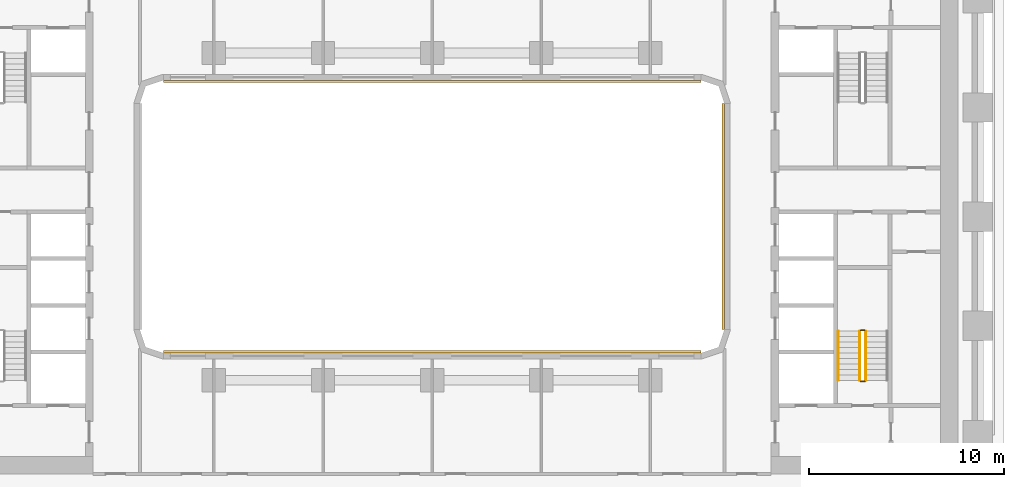
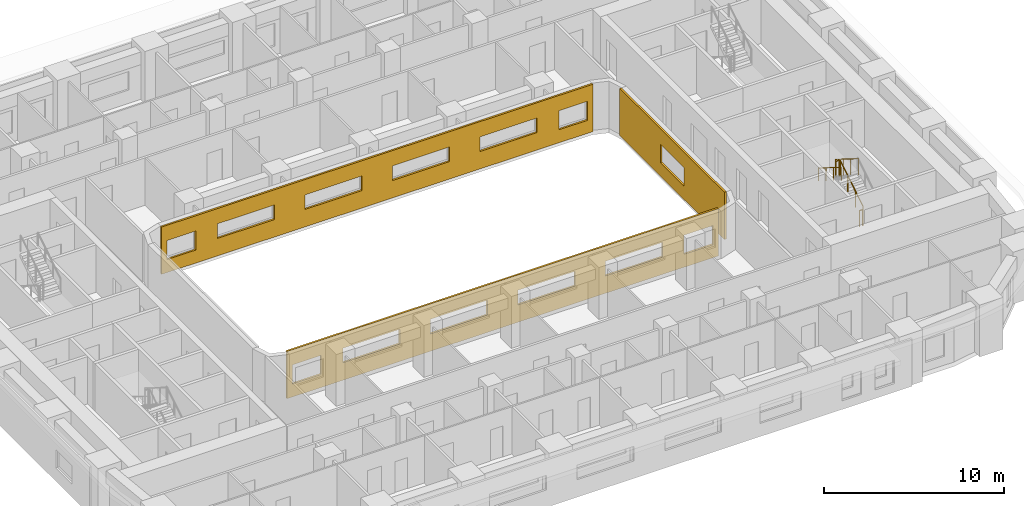
# One storey, part 15 of 20: 5 railings, 3 coverings.
"""IFC4 building model written with IfcOpenShell, lengths in metres."""

from ifc_helpers import new_model, si_unit, direction, frame, origin, origin_2d, place, context, subcontext, project, spatial, polyline, circle, outline, extrude, material, layer, layer_set, type_object, element, save


model = new_model("IFC4")

# Units and contexts
model_context = context("Model", 3, precision=1e-05, world=origin(), true_north=direction((0.0, 1.0)))
body_context = subcontext(model_context, "Body", "Model", "MODEL_VIEW")
ifc_project = project(units=[si_unit("LENGTHUNIT", "METRE"), si_unit("AREAUNIT", "SQUARE_METRE"), si_unit("VOLUMEUNIT", "CUBIC_METRE"), si_unit("PLANEANGLEUNIT", "RADIAN"), si_unit("MASSUNIT", "GRAM", prefix="KILO")], contexts=[model_context])

# Site, building, storey
site_placement = place(None, origin())
site = spatial("IfcSite", under=ifc_project, at=site_placement, CompositionType="ELEMENT")
building_placement = place(site_placement, origin())
building = spatial("IfcBuilding", under=site, at=building_placement, Name="Kiln Ring Residences", CompositionType="ELEMENT")
storey_placement = place(building_placement, frame((0.0, 0.0, 37.5)))
storey = spatial("IfcBuildingStorey", under=building, at=storey_placement, Name="L08", CompositionType="ELEMENT", Elevation=37.5)

# Railings
ifc_material_1 = material(Name="Stainless steel", Category="steel")
railing_type_1 = type_object("IfcRailingType", Name="CORE-STAIR-GUARD", PredefinedType="GUARDRAIL", material=ifc_material_1)
railing_1_placement = place(storey_placement, frame((22.25, -8.39990234375, 0.175048828125)))
element("IfcRailing", 1, at=railing_1_placement, inside=storey, type_object=railing_type_1, Name="L08 E-STS stair guard 1", PredefinedType="GUARDRAIL", context=body_context, shape_type="SweptSolid", body=[
    extrude(circle(Radius=0.02392578125, at=origin_2d()), frame((0.0, 0.0, 1.076171875), z_axis=(0.0, 0.848007534815, 0.529984170421), x_axis=(-1.0, 0.0, 0.0)), (0.0, 0.0, 1.0), 2.9716796875),
    extrude(circle(Radius=0.02099609375, at=origin_2d()), origin(), (0.0, 0.0, 1.0), 1.052001953125),
    extrude(circle(Radius=0.02099609375, at=origin_2d()), frame((0.0, 0.840087890625, 0.52490234375)), (0.0, 0.0, 1.0), 1.052001953125),
    extrude(circle(Radius=0.02099609375, at=origin_2d()), frame((0.0, 1.679931640625, 1.050048828125)), (0.0, 0.0, 1.0), 1.052001953125),
    extrude(circle(Radius=0.02099609375, at=origin_2d()), frame((0.0, 2.52001953125, 1.574951171875)), (0.0, 0.0, 1.0), 1.052001953125),
])
railing_2_placement = place(storey_placement, frame((22.199951171875, -5.830078125, 1.75)))
element("IfcRailing", 2, at=railing_2_placement, inside=storey, type_object=railing_type_1, Name="L08 E-STS stair guard 2", PredefinedType="GUARDRAIL", context=body_context, shape_type="SweptSolid", body=[
    extrude(circle(Radius=0.02392578125, at=origin_2d()), frame((0.0, 0.0, 1.076171875), z_axis=(-1.0, 0.0, 0.0), x_axis=(0.0, -1.0, 0.0)), (0.0, 0.0, 1.0), 0.199951171875),
    extrude(circle(Radius=0.02099609375, at=origin_2d()), origin(), (0.0, 0.0, 1.0), 1.052001953125),
    extrude(circle(Radius=0.02099609375, at=origin_2d()), frame((-0.199951171875, 0.0, 0.0)), (0.0, 0.0, 1.0), 1.052001953125),
])
railing_3_placement = place(storey_placement, frame((21.949951171875, -5.8798828125, 1.925048828125)))
element("IfcRailing", 3, at=railing_3_placement, inside=storey, type_object=railing_type_1, Name="L08 E-STS stair guard 3", PredefinedType="GUARDRAIL", context=body_context, shape_type="SweptSolid", body=[
    extrude(circle(Radius=0.02392578125, at=origin_2d()), frame((0.0, 0.0, 1.076171875), z_axis=(0.0, -0.848007534815, 0.529984170421), x_axis=(1.0, 0.0, 0.0)), (0.0, 0.0, 1.0), 2.9716796875),
    extrude(circle(Radius=0.02099609375, at=origin_2d()), origin(), (0.0, 0.0, 1.0), 1.052001953125),
    extrude(circle(Radius=0.02099609375, at=origin_2d()), frame((0.0, -0.840087890625, 0.52490234375)), (0.0, 0.0, 1.0), 1.052001953125),
    extrude(circle(Radius=0.02099609375, at=origin_2d()), frame((0.0, -1.679931640625, 1.050048828125)), (0.0, 0.0, 1.0), 1.052001953125),
    extrude(circle(Radius=0.02099609375, at=origin_2d()), frame((0.0, -2.52001953125, 1.574951171875)), (0.0, 0.0, 1.0), 1.052001953125),
])
railing_4_placement = place(storey_placement, frame((22.199951171875, -8.449951171875, 0.0)))
element("IfcRailing", 4, at=railing_4_placement, inside=storey, type_object=railing_type_1, Name="L08 E-STS stair guard 4", PredefinedType="GUARDRAIL", context=body_context, shape_type="SweptSolid", body=[
    extrude(circle(Radius=0.02392578125, at=origin_2d()), frame((0.0, 0.0, 1.076171875), z_axis=(-1.0, 0.0, 0.0), x_axis=(0.0, -1.0, 0.0)), (0.0, 0.0, 1.0), 0.199951171875),
    extrude(circle(Radius=0.02099609375, at=origin_2d()), origin(), (0.0, 0.0, 1.0), 1.052001953125),
    extrude(circle(Radius=0.02099609375, at=origin_2d()), frame((-0.199951171875, 0.0, 0.0)), (0.0, 0.0, 1.0), 1.052001953125),
])
ifc_material_2 = material(Name="Stainless steel", Category="steel")
railing_type_2 = type_object("IfcRailingType", Name="CORE-STAIR-HANDRAIL", PredefinedType="HANDRAIL", material=ifc_material_2)
railing_5_placement = place(storey_placement, frame((20.85009765625, -5.8798828125, 1.925048828125)))
element("IfcRailing", 5, at=railing_5_placement, inside=storey, type_object=railing_type_2, Name="L08 E-STS stair handrail 2", PredefinedType="HANDRAIL", context=body_context, shape_type="SweptSolid", body=[
    extrude(circle(Radius=0.02392578125, at=origin_2d()), frame((0.0, 0.0, 0.8759765625), z_axis=(0.0, -0.848007534815, 0.529984170421), x_axis=(1.0, 0.0, 0.0)), (0.0, 0.0, 1.0), 2.9716796875),
    extrude(circle(Radius=0.02099609375, at=origin_2d()), origin(), (0.0, 0.0, 1.0), 0.851806640625),
    extrude(circle(Radius=0.02099609375, at=origin_2d()), frame((0.0, -0.840087890625, 0.52490234375)), (0.0, 0.0, 1.0), 0.851806640625),
    extrude(circle(Radius=0.02099609375, at=origin_2d()), frame((0.0, -1.679931640625, 1.050048828125)), (0.0, 0.0, 1.0), 0.851806640625),
    extrude(circle(Radius=0.02099609375, at=origin_2d()), frame((0.0, -2.52001953125, 1.574951171875)), (0.0, 0.0, 1.0), 0.851806640625),
])

# Coverings
ifc_material_3 = material(Name="Brick masonry, dark clay brick", Category="masonry")
ifc_layer = layer(ifc_material_3, 0.1201171875)
ifc_layer_set = layer_set([ifc_layer], Name="RAINSCREEN PANEL 120")
covering_type = type_object("IfcCoveringType", Name="RAINSCREEN PANEL 120", PredefinedType="CLADDING", material=ifc_layer_set)
covering_1_placement = place(storey_placement, frame((-13.800048828125, 6.93994140625, 0.0), z_axis=(0.0, 0.0, 1.0), x_axis=(1.0, 0.0, 0.0)))
element("IfcCovering", 6, at=covering_1_placement, inside=storey, type_object=covering_type, Name="RAINSCREEN L08", PredefinedType="CLADDING", context=body_context, shape_type="SweptSolid", body=[
    extrude(outline(polyline([(0.0, 0.0), (27.60009765625, 0.0), (27.60009765625, 3.199951171875), (0.0, 3.199951171875), (0.0, 0.0)]), holes=[polyline([(2.1826171875, 0.8798828125), (2.1826171875, 2.169921875), (0.342529296875, 2.169921875), (0.342529296875, 0.8798828125), (2.1826171875, 0.8798828125)]), polyline([(25.41748046875, 0.8798828125), (27.257568359375, 0.8798828125), (27.257568359375, 2.169921875), (25.41748046875, 2.169921875), (25.41748046875, 0.8798828125)]), polyline([(3.580078125, 1.179931640625), (7.219970703125, 1.179931640625), (7.219970703125, 2.169921875), (3.580078125, 2.169921875), (3.580078125, 1.179931640625)]), polyline([(12.820068359375, 1.179931640625), (12.820068359375, 2.169921875), (9.179931640625, 2.169921875), (9.179931640625, 1.179931640625), (12.820068359375, 1.179931640625)]), polyline([(14.780029296875, 1.179931640625), (18.419921875, 1.179931640625), (18.419921875, 2.169921875), (14.780029296875, 2.169921875), (14.780029296875, 1.179931640625)]), polyline([(20.3798828125, 1.179931640625), (24.02001953125, 1.179931640625), (24.02001953125, 2.169921875), (20.3798828125, 2.169921875), (20.3798828125, 1.179931640625)])]), frame((0.0, 0.06005859375, 0.0), z_axis=(0.0, -1.0, 0.0), x_axis=(1.0, 0.0, 0.0)), (0.0, 0.0, 1.0), 0.1201171875),
])
covering_2_placement = place(storey_placement, frame((14.93994140625, 5.800048828125, 0.0), z_axis=(0.0, 0.0, 1.0), x_axis=(0.0, -1.0, 0.0)))
element("IfcCovering", 7, at=covering_2_placement, inside=storey, type_object=covering_type, Name="RAINSCREEN L08", PredefinedType="CLADDING", context=body_context, shape_type="SweptSolid", body=[
    extrude(outline(polyline([(0.0, 0.0), (11.60009765625, 0.0), (11.60009765625, 3.199951171875), (0.0, 3.199951171875), (0.0, 0.0)]), holes=[polyline([(4.5, 2.14990234375), (4.5, 0.89990234375), (7.10009765625, 0.89990234375), (7.10009765625, 2.14990234375), (4.5, 2.14990234375)])]), frame((0.0, 0.06005859375, 0.0), z_axis=(0.0, -1.0, 0.0), x_axis=(1.0, 0.0, 0.0)), (0.0, 0.0, 1.0), 0.1201171875),
])
covering_3_placement = place(storey_placement, frame((13.800048828125, -6.93994140625, 0.0), z_axis=(0.0, 0.0, 1.0), x_axis=(-1.0, 0.0, 0.0)))
element("IfcCovering", 8, at=covering_3_placement, inside=storey, type_object=covering_type, Name="RAINSCREEN L08", PredefinedType="CLADDING", context=body_context, shape_type="SweptSolid", body=[
    extrude(outline(polyline([(0.0, 0.0), (27.60009765625, 0.0), (27.60009765625, 3.199951171875), (0.0, 3.199951171875), (0.0, 0.0)]), holes=[polyline([(2.1826171875, 0.8798828125), (2.1826171875, 2.169921875), (0.342529296875, 2.169921875), (0.342529296875, 0.8798828125), (2.1826171875, 0.8798828125)]), polyline([(25.41748046875, 0.8798828125), (27.257568359375, 0.8798828125), (27.257568359375, 2.169921875), (25.41748046875, 2.169921875), (25.41748046875, 0.8798828125)]), polyline([(3.580078125, 1.179931640625), (7.219970703125, 1.179931640625), (7.219970703125, 2.169921875), (3.580078125, 2.169921875), (3.580078125, 1.179931640625)]), polyline([(12.820068359375, 1.179931640625), (12.820068359375, 2.169921875), (9.179931640625, 2.169921875), (9.179931640625, 1.179931640625), (12.820068359375, 1.179931640625)]), polyline([(14.780029296875, 1.179931640625), (18.419921875, 1.179931640625), (18.419921875, 2.169921875), (14.780029296875, 2.169921875), (14.780029296875, 1.179931640625)]), polyline([(20.3798828125, 1.179931640625), (24.02001953125, 1.179931640625), (24.02001953125, 2.169921875), (20.3798828125, 2.169921875), (20.3798828125, 1.179931640625)])]), frame((0.0, 0.06005859375, 0.0), z_axis=(0.0, -1.0, 0.0), x_axis=(1.0, 0.0, 0.0)), (0.0, 0.0, 1.0), 0.1201171875),
])

save(model, "model.ifc")
